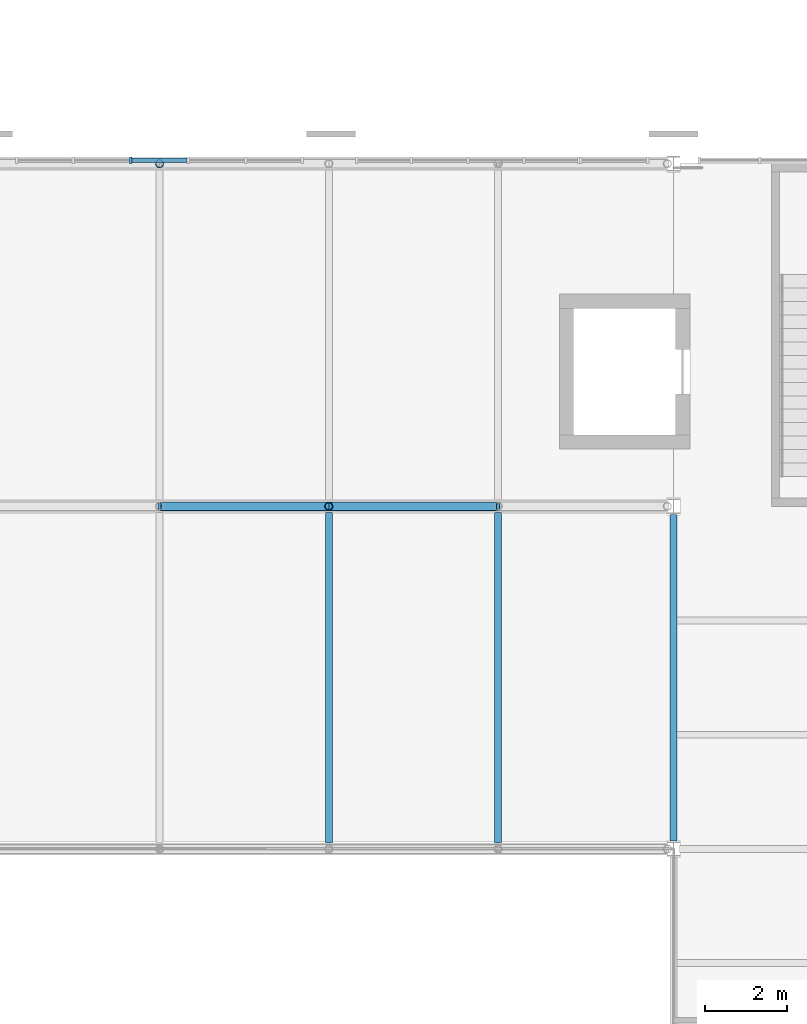
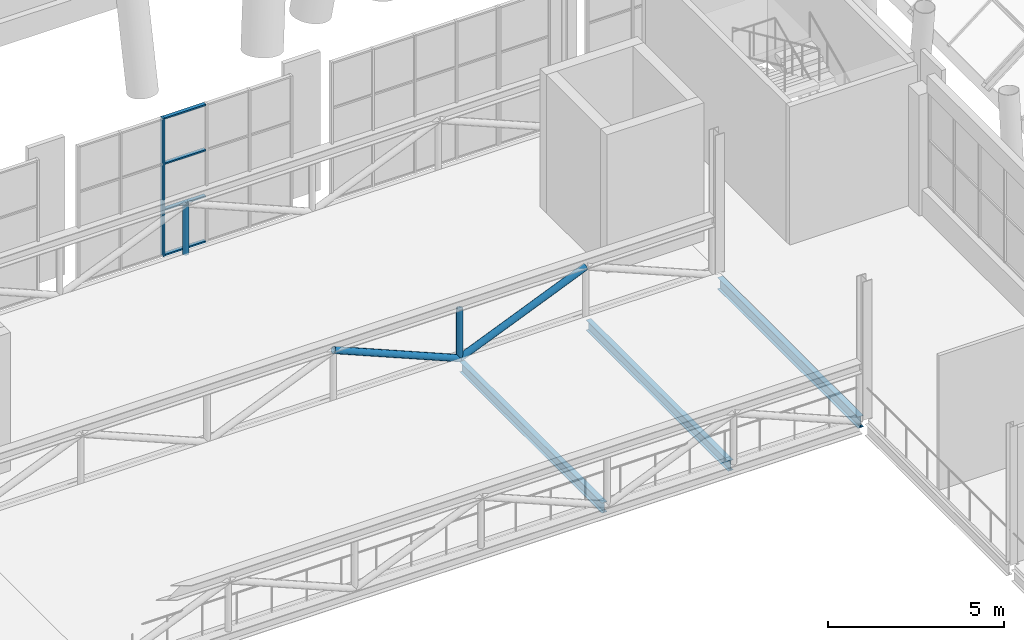
# One storey, part 36 of 76: 9 members, 3 beams, 1 element without a shape of its own.
"""IFC4 building model written with IfcOpenShell, lengths in metres."""

from ifc_helpers import new_model, si_unit, direction, frame, origin, origin_2d, place, context, subcontext, project, spatial, rectangle, hollow_circle, i_section, extrude, material, material_profile, profile_set, type_object, element, aggregate, save


model = new_model("IFC4")

# Units and contexts
model_context = context("Model", 3, precision=1e-05, world=origin(), true_north=direction((0.0, 1.0)))
body_context = subcontext(model_context, "Body", "Model", "MODEL_VIEW")
ifc_project = project(units=[si_unit("LENGTHUNIT", "METRE"), si_unit("AREAUNIT", "SQUARE_METRE"), si_unit("VOLUMEUNIT", "CUBIC_METRE"), si_unit("PLANEANGLEUNIT", "RADIAN"), si_unit("MASSUNIT", "GRAM", prefix="KILO")], contexts=[model_context])

# Site, building, storey
site_placement = place(None, origin())
site = spatial("IfcSite", under=ifc_project, at=site_placement, CompositionType="ELEMENT")
building_placement = place(site_placement, origin())
building = spatial("IfcBuilding", under=site, at=building_placement, Name="Sava Quay Ferry Terminal", CompositionType="ELEMENT")
storey_placement = place(building_placement, frame((0.0, 0.0, 6.0)))
storey = spatial("IfcBuildingStorey", under=building, at=storey_placement, Name="L01", CompositionType="ELEMENT", Elevation=6.0)

# Beams
ifc_material_1 = material(Name="Steel S355", Category="steel")
ifc_material_profile_1 = material_profile(ifc_material_1, i_section(OverallWidth=0.169921875, OverallDepth=0.360107421875, WebThickness=0.008056640625, FlangeThickness=0.0126953125, at=origin_2d()), Name="IPE 360")
ifc_profile_set_1 = profile_set([ifc_material_profile_1], Name="Steel S355")
beam_type_1 = type_object("IfcBeamType", Name="Beam IPE 360", PredefinedType="BEAM", material=ifc_profile_set_1)
for number, where, z_axis, x_axis, name in (
    (1, (67.14990234375, 84.14990234375, -0.31005859375), (0.0, 1.0, 0.0), (-1.0, 0.0, 0.0), "Truss floor beam"),
    (2, (71.300048828125, 84.14990234375, -0.31005859375), (0.0, 1.0, 0.0), (-1.0, 0.0, 0.0), "Truss floor beam"),
):
    element("IfcBeam", number, at=place(storey_placement, frame(where, z_axis=z_axis, x_axis=x_axis)), inside=storey, type_object=beam_type_1, Name=name, PredefinedType="BEAM", context=body_context, shape_type="SweptSolid", body=[
        extrude(i_section(OverallWidth=0.169921875, OverallDepth=0.360107421875, WebThickness=0.008056640625, FlangeThickness=0.0126953125, at=origin_2d()), origin(), (0.0, 0.0, 1.0), 8.10009765625),
    ])
ifc_material_2 = material(Name="Steel S355", Category="steel")
ifc_material_profile_2 = material_profile(ifc_material_2, i_section(OverallWidth=0.179931640625, OverallDepth=0.39990234375, WebThickness=0.008544921875, FlangeThickness=0.013427734375, at=origin_2d()), Name="IPE 400")
ifc_profile_set_2 = profile_set([ifc_material_profile_2], Name="Steel S355")
beam_type_2 = type_object("IfcBeamType", Name="Beam IPE 400", PredefinedType="BEAM", material=ifc_profile_set_2)
beam_placement = place(storey_placement, frame((75.60009765625, 84.199951171875, -0.330078125), z_axis=(0.0, 1.0, 0.0), x_axis=(-1.0, 0.0, 0.0)))
element("IfcBeam", 3, at=beam_placement, inside=storey, type_object=beam_type_2, Name="Girder L01", PredefinedType="BEAM", context=body_context, shape_type="SweptSolid", body=[
    extrude(i_section(OverallWidth=0.179931640625, OverallDepth=0.39990234375, WebThickness=0.008544921875, FlangeThickness=0.013427734375, at=origin_2d()), origin(), (0.0, 0.0, 1.0), 8.0),
])

# Members
ifc_material_3 = material(Name="Steel S355", Category="steel")
ifc_material_profile_3 = material_profile(ifc_material_3, hollow_circle(Radius=0.096923828125, WallThickness=0.008056640625, at=origin_2d()), Name="CHS 193.7 x 8")
ifc_profile_set_3 = profile_set([ifc_material_profile_3], Name="Steel S355")
member_type_1 = type_object("IfcMemberType", Name="Brace CHS 193.7 x 8", PredefinedType="BRACE", material=ifc_profile_set_3)
for number, where, z_axis, x_axis, name in (
    (4, (67.14990234375, 92.39990234375, -0.1298828125), (0.0, 0.0, 1.0), (1.0, 0.0, 0.0), "Truss post 92.4"),
    (5, (63.0, 100.800048828125, -0.1298828125), (0.0, 0.0, 1.0), (1.0, 0.0, 0.0), "Truss post 100.8"),
):
    element("IfcMember", number, at=place(storey_placement, frame(where, z_axis=z_axis, x_axis=x_axis)), inside=storey, type_object=member_type_1, Name=name, PredefinedType="BRACE", context=body_context, shape_type="SweptSolid", body=[
        extrude(hollow_circle(Radius=0.096923828125, WallThickness=0.008056640625, at=origin_2d()), origin(), (0.0, 0.0, 1.0), 1.739990234375),
    ])
ifc_material_4 = material(Name="Steel S355", Category="steel")
ifc_material_profile_4 = material_profile(ifc_material_4, hollow_circle(Radius=0.109619140625, WallThickness=0.010009765625, at=origin_2d()), Name="CHS 219.1 x 10")
ifc_profile_set_4 = profile_set([ifc_material_profile_4], Name="Steel S355")
member_type_2 = type_object("IfcMemberType", Name="Brace CHS 219.1 x 10", PredefinedType="BRACE", material=ifc_profile_set_4)
member_1_placement = place(storey_placement, frame((67.14990234375, 92.39990234375, -0.1298828125), z_axis=(-0.922217474343, 0.0, 0.386671604874), x_axis=(0.0, -1.0, 0.0)))
element("IfcMember", 6, at=member_1_placement, inside=storey, type_object=member_type_2, Name="Truss diagonal 92.4", PredefinedType="BRACE", context=body_context, shape_type="SweptSolid", body=[
    extrude(hollow_circle(Radius=0.109619140625, WallThickness=0.010009765625, at=origin_2d()), origin(), (0.0, 0.0, 1.0), 4.5),
])
member_2_placement = place(storey_placement, frame((67.14990234375, 92.39990234375, -0.1298828125), z_axis=(0.922225585588, 0.0, 0.386652258867), x_axis=(0.0, 1.0, 0.0)))
element("IfcMember", 7, at=member_2_placement, inside=storey, type_object=member_type_2, Name="Truss diagonal 92.4", PredefinedType="BRACE", context=body_context, shape_type="SweptSolid", body=[
    extrude(hollow_circle(Radius=0.109619140625, WallThickness=0.010009765625, at=origin_2d()), origin(), (0.0, 0.0, 1.0), 4.500244140625),
])

# Curtain wall, members
ifc_material_5 = material(Name="Aluminium and glass curtain wall, double low-e glazed", Category="aluminium")
curtain_wall_type = type_object("IfcCurtainWallType", Name="Curtain wall CW-G gable", PredefinedType="NOTDEFINED", material=ifc_material_5)
curtain_wall_placement = place(storey_placement, origin())
curtain_wall = element("IfcCurtainWall", 8, at=curtain_wall_placement, inside=storey, type_object=curtain_wall_type, Name="Curtain wall D-N L01 bay 31", PredefinedType="NOTDEFINED")
ifc_material_6 = material(Name="Aluminium EN AW-6063 T6", Category="aluminium")
ifc_material_profile_5 = material_profile(ifc_material_6, rectangle(XDim=0.14990234375, YDim=0.06005859375, at=origin_2d()), Name="Mullion 60x150 aluminium")
ifc_profile_set_5 = profile_set([ifc_material_profile_5], Name="Aluminium EN AW-6063 T6")
member_type_3 = type_object("IfcMemberType", Name="Mullion 60x150 aluminium", PredefinedType="MULLION", material=ifc_profile_set_5)
member_3_placement = place(storey_placement, frame((62.2939453125, 100.885009765625, 0.0), z_axis=(0.0, 0.0, 1.0), x_axis=(0.0, 1.0, 0.0)))
member_3 = element("IfcMember", 9, at=member_3_placement, type_object=member_type_3, Name="CW70 mullion 3", PredefinedType="MULLION", context=body_context, shape_type="SweptSolid", body=[
    extrude(rectangle(XDim=0.14990234375, YDim=0.06005859375, at=origin_2d()), origin(), (0.0, 0.0, 1.0), 4.800048828125),
])
ifc_material_7 = material(Name="Aluminium EN AW-6063 T6", Category="aluminium")
ifc_material_profile_6 = material_profile(ifc_material_7, rectangle(XDim=0.1201171875, YDim=0.050048828125, at=origin_2d()), Name="Transom 50x120 aluminium")
ifc_profile_set_6 = profile_set([ifc_material_profile_6], Name="Aluminium EN AW-6063 T6")
member_type_4 = type_object("IfcMemberType", Name="Transom 50x120 aluminium", PredefinedType="USERDEFINED", material=ifc_profile_set_6)
member_4_placement = place(storey_placement, frame((62.323974609375, 100.885009765625, 0.02490234375), z_axis=(1.0, 0.0, 0.0), x_axis=(0.0, 1.0, 0.0)))
member_4 = element("IfcMember", 10, at=member_4_placement, type_object=member_type_4, Name="CW70 transom 3.1", ObjectType="TRANSOM", PredefinedType="USERDEFINED", context=body_context, shape_type="SweptSolid", body=[
    extrude(rectangle(XDim=0.1201171875, YDim=0.050048828125, at=origin_2d()), origin(), (0.0, 0.0, 1.0), 1.35205078125),
])
member_5_placement = place(storey_placement, frame((62.323974609375, 100.885009765625, 1.60009765625), z_axis=(1.0, 0.0, 0.0), x_axis=(0.0, 1.0, 0.0)))
member_5 = element("IfcMember", 11, at=member_5_placement, type_object=member_type_4, Name="CW70 transom 3.2", ObjectType="TRANSOM", PredefinedType="USERDEFINED", context=body_context, shape_type="SweptSolid", body=[
    extrude(rectangle(XDim=0.1201171875, YDim=0.050048828125, at=origin_2d()), origin(), (0.0, 0.0, 1.0), 1.35205078125),
])
member_6_placement = place(storey_placement, frame((62.323974609375, 100.885009765625, 3.199951171875), z_axis=(1.0, 0.0, 0.0), x_axis=(0.0, 1.0, 0.0)))
member_6 = element("IfcMember", 12, at=member_6_placement, type_object=member_type_4, Name="CW70 transom 3.3", ObjectType="TRANSOM", PredefinedType="USERDEFINED", context=body_context, shape_type="SweptSolid", body=[
    extrude(rectangle(XDim=0.1201171875, YDim=0.050048828125, at=origin_2d()), origin(), (0.0, 0.0, 1.0), 1.35205078125),
])
member_7_placement = place(storey_placement, frame((62.323974609375, 100.885009765625, 4.77490234375), z_axis=(1.0, 0.0, 0.0), x_axis=(0.0, 1.0, 0.0)))
member_7 = element("IfcMember", 13, at=member_7_placement, type_object=member_type_4, Name="CW70 transom 3.4", ObjectType="TRANSOM", PredefinedType="USERDEFINED", context=body_context, shape_type="SweptSolid", body=[
    extrude(rectangle(XDim=0.1201171875, YDim=0.050048828125, at=origin_2d()), origin(), (0.0, 0.0, 1.0), 1.35205078125),
])
aggregate(curtain_wall, [member_3, member_4, member_5, member_6, member_7])

save(model, "model.ifc")
